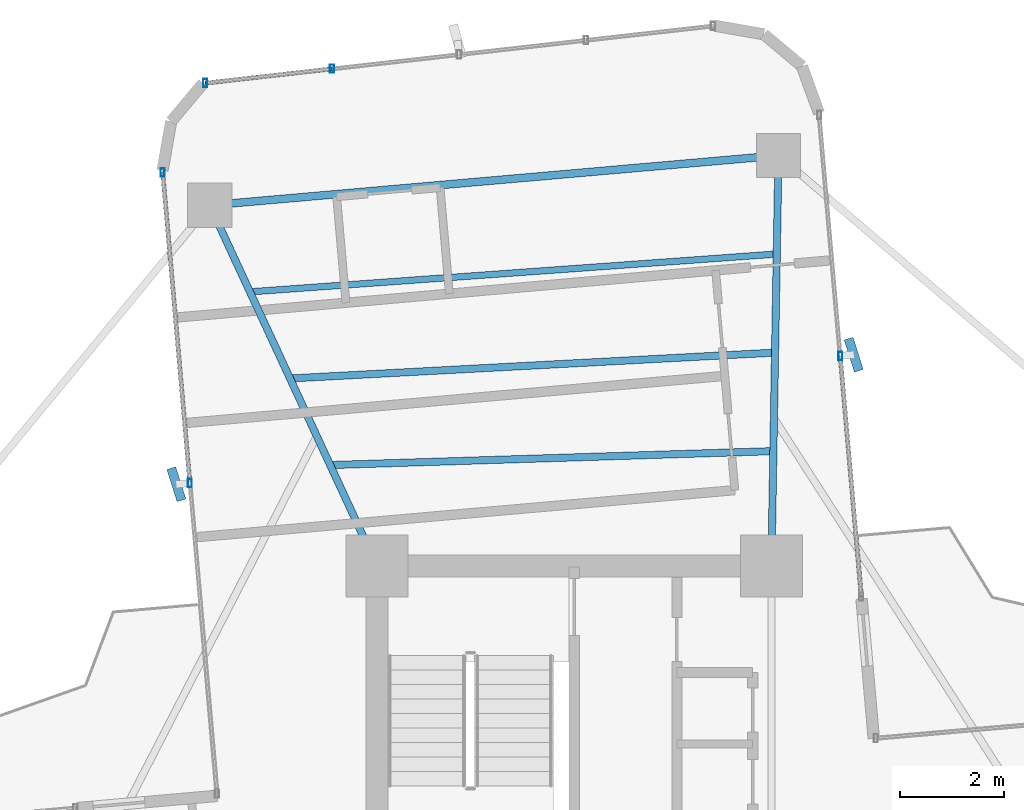
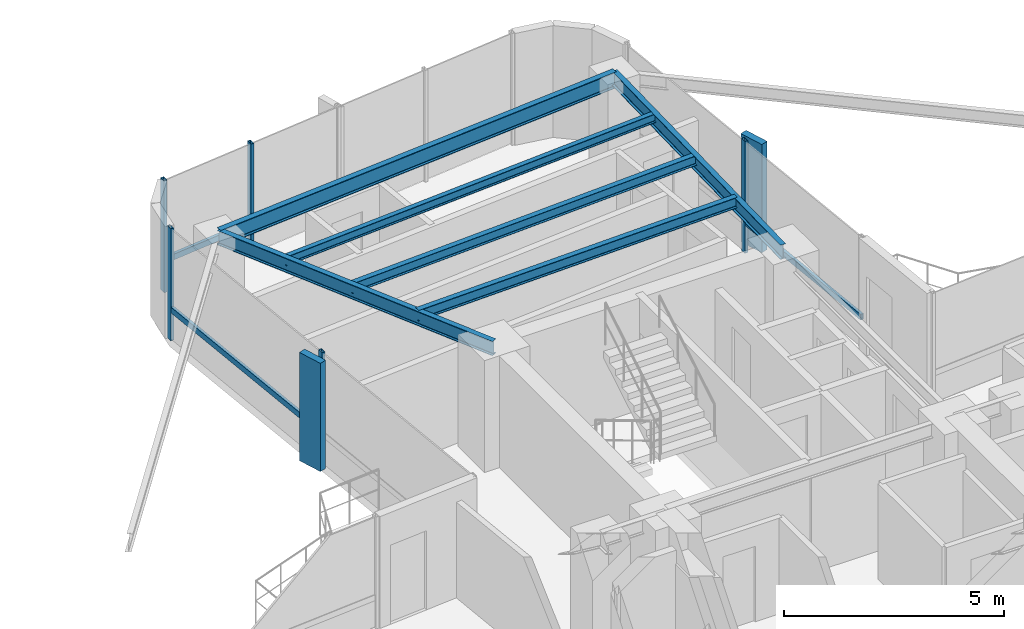
# One storey, part 16 of 24: 10 members, 6 beams, 3 elements without a shape of their own.
"""IFC4 building model written with IfcOpenShell, lengths in metres."""

from ifc_helpers import new_model, si_unit, direction, frame, origin, origin_2d, place, context, subcontext, project, spatial, rectangle, hollow_rectangle, i_section, extrude, source, transform, mapped, material, material_profile, profile_set, type_object, element, aggregate, save


model = new_model("IFC4")

# Units and contexts
model_context = context("Model", 3, precision=1e-05, world=origin(), true_north=direction((0.0, 1.0)))
body_context = subcontext(model_context, "Body", "Model", "MODEL_VIEW")
ifc_project = project(units=[si_unit("LENGTHUNIT", "METRE"), si_unit("AREAUNIT", "SQUARE_METRE"), si_unit("VOLUMEUNIT", "CUBIC_METRE"), si_unit("PLANEANGLEUNIT", "RADIAN"), si_unit("MASSUNIT", "GRAM", prefix="KILO")], contexts=[model_context])

# Site, building, storey
site_placement = place(None, origin())
site = spatial("IfcSite", under=ifc_project, at=site_placement, CompositionType="ELEMENT")
building_placement = place(site_placement, origin())
building = spatial("IfcBuilding", under=site, at=building_placement, Name="Sahyath Konkavel Grand Hotel", CompositionType="ELEMENT")
storey_placement = place(building_placement, frame((0.0, 0.0, 150.60009765625)))
storey = spatial("IfcBuildingStorey", under=building, at=storey_placement, Name="L41", CompositionType="ELEMENT", Elevation=150.60009765625)

# Beams
ifc_material_1 = material(Name="Steel E350", Category="steel")
ifc_material_profile_1 = material_profile(ifc_material_1, i_section(OverallWidth=0.139892578125, OverallDepth=0.39990234375, WebThickness=0.0087890625, FlangeThickness=0.01611328125, FilletRadius=0.013916015625, at=origin_2d()), Name="ISMB 400")
ifc_profile_set_1 = profile_set([ifc_material_profile_1], Name="Steel E350")
beam_type_1 = type_object("IfcBeamType", Name="BM-ISMB400", PredefinedType="BEAM", material=ifc_profile_set_1)
shared_shape_1 = source(origin(), body_context, "Body", "SweptSolid", [
    extrude(i_section(OverallWidth=0.139892578125, OverallDepth=0.39990234375, WebThickness=0.0087890625, FlangeThickness=0.01611328125, FilletRadius=0.013916015625, at=origin_2d()), origin(), (0.0, 0.0, 1.0), 7.913330078125),
])
beam_1_placement = place(storey_placement, frame((3.800048828125, 10.199951171875, 2.909912109375), z_axis=(0.017215419232, 0.999851803689, 0.0), x_axis=(-0.999851803689, 0.017215419232, 0.0)))
element("IfcBeam", 1, at=beam_1_placement, inside=storey, type_object=beam_type_1, Name="L41 Cruciform Radial Girder NA", PredefinedType="BEAM", context=body_context, shape_type="MappedRepresentation", body=[
    mapped(shared_shape_1, transform((0.0, 0.0, 0.0), scale=1.0)),
])
shared_shape_2 = source(origin(), body_context, "Body", "SweptSolid", [
    extrude(i_section(OverallWidth=0.139892578125, OverallDepth=0.39990234375, WebThickness=0.0087890625, FlangeThickness=0.01611328125, FilletRadius=0.013916015625, at=origin_2d()), origin(), (0.0, 0.0, 1.0), 7.66357421875),
])
beam_2_placement = place(storey_placement, frame((-3.800048828125, 10.199951171875, 2.909912109375), z_axis=(-0.420395127561, 0.907341135804, 0.0), x_axis=(-0.907341135804, -0.420395127561, 0.0)))
element("IfcBeam", 2, at=beam_2_placement, inside=storey, type_object=beam_type_1, Name="L41 Cruciform Radial Girder NB", PredefinedType="BEAM", context=body_context, shape_type="MappedRepresentation", body=[
    mapped(shared_shape_2, transform((0.0, 0.0, 0.0), scale=1.0)),
])
ifc_material_profile_2 = material_profile(ifc_material_1, i_section(OverallWidth=0.14990234375, OverallDepth=0.449951171875, WebThickness=0.009521484375, FlangeThickness=0.017333984375, FilletRadius=0.014892578125, at=origin_2d()), Name="ISMB 450")
ifc_profile_set_2 = profile_set([ifc_material_profile_2], Name="Steel E350")
beam_type_2 = type_object("IfcBeamType", Name="BM-ISMB450", PredefinedType="BEAM", material=ifc_profile_set_2)
shared_shape_3 = source(origin(), body_context, "Body", "SweptSolid", [
    extrude(i_section(OverallWidth=0.14990234375, OverallDepth=0.449951171875, WebThickness=0.009521484375, FlangeThickness=0.017333984375, FilletRadius=0.014892578125, at=origin_2d()), origin(), (0.0, 0.0, 1.0), 10.999755859375),
])
beam_3_placement = place(storey_placement, frame((3.936279296875, 18.112060546875, 2.885009765625), z_axis=(-0.99619439202, -0.087159241098, 0.0), x_axis=(0.087159241098, -0.99619439202, 0.0)))
element("IfcBeam", 3, at=beam_3_placement, inside=storey, type_object=beam_type_2, Name="L41 Wing Tip Edge Beam N", PredefinedType="BEAM", context=body_context, shape_type="MappedRepresentation", body=[
    mapped(shared_shape_3, transform((0.0, 0.0, 0.0), scale=1.0)),
])
ifc_material_profile_3 = material_profile(ifc_material_1, i_section(OverallWidth=0.139892578125, OverallDepth=0.300048828125, WebThickness=0.0078125, FlangeThickness=0.01318359375, FilletRadius=0.013916015625, at=origin_2d()), Name="ISMB 300")
ifc_profile_set_3 = profile_set([ifc_material_profile_3], Name="Steel E350")
beam_type_3 = type_object("IfcBeamType", Name="BM-ISMB300", PredefinedType="BEAM", material=ifc_profile_set_3)
shared_shape_4 = source(origin(), body_context, "Body", "SweptSolid", [
    extrude(i_section(OverallWidth=0.139892578125, OverallDepth=0.300048828125, WebThickness=0.0078125, FlangeThickness=0.01318359375, FilletRadius=0.013916015625, at=origin_2d()), origin(), (0.0, 0.0, 1.0), 8.54443359375),
])
beam_4_placement = place(storey_placement, frame((3.838134765625, 12.415283203125, 2.9599609375), z_axis=(-0.999506849365, -0.031401561632, 0.0), x_axis=(0.031401561632, -0.999506849365, 0.0)))
element("IfcBeam", 4, at=beam_4_placement, inside=storey, type_object=beam_type_3, Name="L41 Secondary Floor Beam N-1", PredefinedType="BEAM", context=body_context, shape_type="MappedRepresentation", body=[
    mapped(shared_shape_4, transform((0.0, 0.0, 0.0), scale=1.0)),
])
ifc_material_profile_4 = material_profile(ifc_material_1, i_section(OverallWidth=0.139892578125, OverallDepth=0.27490234375, WebThickness=0.00634765625, FlangeThickness=0.0087890625, FilletRadius=0.012939453125, at=origin_2d()), Name="ISLB 275")
ifc_profile_set_4 = profile_set([ifc_material_profile_4], Name="Steel E350")
beam_type_4 = type_object("IfcBeamType", Name="BM-ISLB275", PredefinedType="BEAM", material=ifc_profile_set_4)
shared_shape_5 = source(origin(), body_context, "Body", "SweptSolid", [
    extrude(i_section(OverallWidth=0.139892578125, OverallDepth=0.27490234375, WebThickness=0.00634765625, FlangeThickness=0.0087890625, FilletRadius=0.012939453125, at=origin_2d()), origin(), (0.0, 0.0, 1.0), 9.359375),
])
beam_5_placement = place(storey_placement, frame((3.870849609375, 14.314208984375, 2.972412109375), z_axis=(-0.998580397723, -0.053265272769, 0.0), x_axis=(0.053265272769, -0.998580397723, 0.0)))
element("IfcBeam", 5, at=beam_5_placement, inside=storey, type_object=beam_type_4, Name="L41 Secondary Floor Beam N-2", PredefinedType="BEAM", context=body_context, shape_type="MappedRepresentation", body=[
    mapped(shared_shape_5, transform((0.0, 0.0, 0.0), scale=1.0)),
])
ifc_material_profile_5 = material_profile(ifc_material_1, i_section(OverallWidth=0.125, OverallDepth=0.25, WebThickness=0.0068359375, FlangeThickness=0.012451171875, FilletRadius=0.012939453125, at=origin_2d()), Name="ISMB 250")
ifc_profile_set_5 = profile_set([ifc_material_profile_5], Name="Steel E350")
beam_type_5 = type_object("IfcBeamType", Name="BM-ISMB250", PredefinedType="BEAM", material=ifc_profile_set_5)
shared_shape_6 = source(origin(), body_context, "Body", "SweptSolid", [
    extrude(i_section(OverallWidth=0.125, OverallDepth=0.25, WebThickness=0.0068359375, FlangeThickness=0.012451171875, FilletRadius=0.012939453125, at=origin_2d()), origin(), (0.0, 0.0, 1.0), 10.178466796875),
])
beam_6_placement = place(storey_placement, frame((3.90380859375, 16.213134765625, 2.98486328125), z_axis=(-0.997435268886, -0.071574327683, 0.0), x_axis=(0.071574327683, -0.997435268886, 0.0)))
element("IfcBeam", 6, at=beam_6_placement, inside=storey, type_object=beam_type_5, Name="L41 Secondary Floor Beam N-3", PredefinedType="BEAM", context=body_context, shape_type="MappedRepresentation", body=[
    mapped(shared_shape_6, transform((0.0, 0.0, 0.0), scale=1.0)),
])

# Curtain wall, member
ifc_material_2 = material(Name="Anodised Bronze Aluminium & Low-E Glazing", Category="aluminium")
curtain_wall_type = type_object("IfcCurtainWallType", Name="CW-ZONE3", PredefinedType="NOTDEFINED", material=ifc_material_2)
curtain_wall_1_placement = place(storey_placement, origin())
curtain_wall_1 = element("IfcCurtainWall", 7, at=curtain_wall_1_placement, inside=storey, type_object=curtain_wall_type, Name="L41 Unitised Curtain Wall F8", PredefinedType="NOTDEFINED")
ifc_material_3 = material(Name="Anodised Bronze Aluminium", Category="aluminium")
ifc_material_profile_6 = material_profile(ifc_material_3, hollow_rectangle(XDim=0.080078125, YDim=0.159912109375, WallThickness=0.006103515625, at=origin_2d()), Name="RHS 160x80x6")
ifc_profile_set_6 = profile_set([ifc_material_profile_6], Name="Anodised Bronze Aluminium")
member_type_1 = type_object("IfcMemberType", Name="CW-MUL-160", PredefinedType="MULLION", material=ifc_profile_set_6)
shared_shape_7 = source(origin(), body_context, "Body", "SweptSolid", [
    extrude(hollow_rectangle(XDim=0.080078125, YDim=0.159912109375, WallThickness=0.006103515625, at=origin_2d()), origin(), (0.0, 0.0, 1.0), 3.10986328125),
])
member_1_placement = place(storey_placement, frame((5.12744140625, 14.251220703125, 0.0), z_axis=(0.0, 0.0, 1.0), x_axis=(1.0, 0.0, 0.0)))
member_1 = element("IfcMember", 8, at=member_1_placement, type_object=member_type_1, Name="L41 Curtain Wall Mullion F8-1", PredefinedType="MULLION", context=body_context, shape_type="MappedRepresentation", body=[
    mapped(shared_shape_7, transform((0.0, 0.0, 0.0), scale=1.0)),
])

# Curtain wall, members
curtain_wall_2_placement = place(storey_placement, origin())
curtain_wall_2 = element("IfcCurtainWall", 9, at=curtain_wall_2_placement, inside=storey, type_object=curtain_wall_type, Name="L41 Unitised Curtain Wall F12", PredefinedType="NOTDEFINED")
member_2_placement = place(storey_placement, frame((-4.665771484375, 19.783203125, 0.0), z_axis=(0.0, 0.0, 1.0), x_axis=(1.0, 0.0, 0.0)))
member_2 = element("IfcMember", 10, at=member_2_placement, type_object=member_type_1, Name="L41 Curtain Wall Mullion F12-3", PredefinedType="MULLION", context=body_context, shape_type="MappedRepresentation", body=[
    mapped(shared_shape_7, transform((0.0, 0.0, 0.0), scale=1.0)),
])
member_3_placement = place(storey_placement, frame((-7.1123046875, 19.507568359375, 0.0), z_axis=(0.0, 0.0, 1.0), x_axis=(1.0, 0.0, 0.0)))
member_3 = element("IfcMember", 11, at=member_3_placement, type_object=member_type_1, Name="L41 Curtain Wall Mullion F12-4", PredefinedType="MULLION", context=body_context, shape_type="MappedRepresentation", body=[
    mapped(shared_shape_7, transform((0.0, 0.0, 0.0), scale=1.0)),
])

curtain_wall_3_placement = place(storey_placement, origin())
curtain_wall_3 = element("IfcCurtainWall", 12, at=curtain_wall_3_placement, inside=storey, type_object=curtain_wall_type, Name="L41 Unitised Curtain Wall F15", PredefinedType="NOTDEFINED")
member_4_placement = place(storey_placement, frame((-7.930419921875, 17.78662109375, 0.0), z_axis=(0.0, 0.0, 1.0), x_axis=(1.0, 0.0, 0.0)))
member_4 = element("IfcMember", 13, at=member_4_placement, type_object=member_type_1, Name="L41 Curtain Wall Mullion F15-0", PredefinedType="MULLION", context=body_context, shape_type="MappedRepresentation", body=[
    mapped(shared_shape_7, transform((0.0, 0.0, 0.0), scale=1.0)),
])
member_5_placement = place(storey_placement, frame((-7.406494140625, 11.79931640625, 0.0), z_axis=(0.0, 0.0, 1.0), x_axis=(1.0, 0.0, 0.0)))
member_5 = element("IfcMember", 14, at=member_5_placement, type_object=member_type_1, Name="L41 Curtain Wall Mullion F15-1", PredefinedType="MULLION", context=body_context, shape_type="MappedRepresentation", body=[
    mapped(shared_shape_7, transform((0.0, 0.0, 0.0), scale=1.0)),
])

# Member
ifc_material_4 = material(Name="Warm Buff Sandstone Cladding on Concrete C50/60", Category="masonry")
ifc_material_profile_7 = material_profile(ifc_material_4, rectangle(XDim=0.179931640625, YDim=0.64990234375, at=origin_2d()), Name="FIN 180x650")
ifc_profile_set_7 = profile_set([ifc_material_profile_7], Name="Warm Buff Sandstone Cladding on Concrete C50/60")
member_type_2 = type_object("IfcMemberType", Name="FIN-SANDSTONE-650", PredefinedType="MULLION", material=ifc_profile_set_7)
shared_shape_8 = source(origin(), body_context, "Body", "SweptSolid", [
    extrude(rectangle(XDim=0.179931640625, YDim=0.64990234375, at=origin_2d()), origin(), (0.0, 0.0, 1.0), 3.010009765625),
])
member_6_placement = place(storey_placement, frame((5.386474609375, 14.273681640625, 0.0498046875), z_axis=(0.0, 0.0, 1.0), x_axis=(0.953348857629, 0.301870759858, 0.0)))
member_6 = element("IfcMember", 15, at=member_6_placement, type_object=member_type_2, Name="L41 Sandstone Vertical Solar Fin FIN F8-1", PredefinedType="MULLION", context=body_context, shape_type="MappedRepresentation", body=[
    mapped(shared_shape_8, transform((0.0, 0.0, 0.0), scale=1.0)),
])

member_7_placement = place(storey_placement, frame((-7.66552734375, 11.776611328125, 0.0498046875), z_axis=(0.0, 0.0, 1.0), x_axis=(0.953348857629, 0.301870759858, 0.0)))
member_7 = element("IfcMember", 16, at=member_7_placement, type_object=member_type_2, Name="L41 Sandstone Vertical Solar Fin FIN F15-1", PredefinedType="MULLION", context=body_context, shape_type="MappedRepresentation", body=[
    mapped(shared_shape_8, transform((0.0, 0.0, 0.0), scale=1.0)),
])

ifc_material_profile_8 = material_profile(ifc_material_3, hollow_rectangle(XDim=0.080078125, YDim=0.159912109375, WallThickness=0.006103515625, at=origin_2d()), Name="RHS 160x80x6")
ifc_profile_set_8 = profile_set([ifc_material_profile_8], Name="Anodised Bronze Aluminium")
member_type_3 = type_object("IfcMemberType", Name="CW-TRN-160", PredefinedType="USERDEFINED", material=ifc_profile_set_8)
shared_shape_9 = source(origin(), body_context, "Body", "SweptSolid", [
    extrude(hollow_rectangle(XDim=0.080078125, YDim=0.159912109375, WallThickness=0.006103515625, at=origin_2d()), origin(), (0.0, 0.0, 1.0), 4.66015625),
])
member_8_placement = place(storey_placement, frame((5.53369140625, 9.60888671875, 0.849853515625), z_axis=(-0.087176698736, 0.996192864458, 0.0), x_axis=(-0.996192864458, -0.087176698736, 0.0)))
member_8 = element("IfcMember", 17, at=member_8_placement, type_object=member_type_3, Name="L41 Curtain Wall Transom F8-0-spandrel", ObjectType="TRANSOM", PredefinedType="USERDEFINED", context=body_context, shape_type="MappedRepresentation", body=[
    mapped(shared_shape_9, transform((0.0, 0.0, 0.0), scale=1.0)),
])

aggregate(curtain_wall_1, [member_1, member_6, member_8])

shared_shape_10 = source(origin(), body_context, "Body", "SweptSolid", [
    extrude(hollow_rectangle(XDim=0.080078125, YDim=0.159912109375, WallThickness=0.006103515625, at=origin_2d()), origin(), (0.0, 0.0, 1.0), 2.4619140625),
])
member_9_placement = place(storey_placement, frame((-4.665771484375, 19.783203125, 0.849853515625), z_axis=(-0.993713263833, -0.111955121731, 0.0), x_axis=(0.111955121731, -0.993713263833, 0.0)))
member_9 = element("IfcMember", 18, at=member_9_placement, type_object=member_type_3, Name="L41 Curtain Wall Transom F12-3-spandrel", ObjectType="TRANSOM", PredefinedType="USERDEFINED", context=body_context, shape_type="MappedRepresentation", body=[
    mapped(shared_shape_10, transform((0.0, 0.0, 0.0), scale=1.0)),
])

aggregate(curtain_wall_2, [member_2, member_3, member_9])

shared_shape_11 = source(origin(), body_context, "Body", "SweptSolid", [
    extrude(hollow_rectangle(XDim=0.080078125, YDim=0.159912109375, WallThickness=0.006103515625, at=origin_2d()), origin(), (0.0, 0.0, 1.0), 6.01025390625),
])
member_10_placement = place(storey_placement, frame((-7.930419921875, 17.78662109375, 0.849853515625), z_axis=(0.087172997156, -0.996193188376, 0.0), x_axis=(0.996193188376, 0.087172997156, 0.0)))
member_10 = element("IfcMember", 19, at=member_10_placement, type_object=member_type_3, Name="L41 Curtain Wall Transom F15-0-spandrel", ObjectType="TRANSOM", PredefinedType="USERDEFINED", context=body_context, shape_type="MappedRepresentation", body=[
    mapped(shared_shape_11, transform((0.0, 0.0, 0.0), scale=1.0)),
])

aggregate(curtain_wall_3, [member_4, member_5, member_7, member_10])

save(model, "model.ifc")
